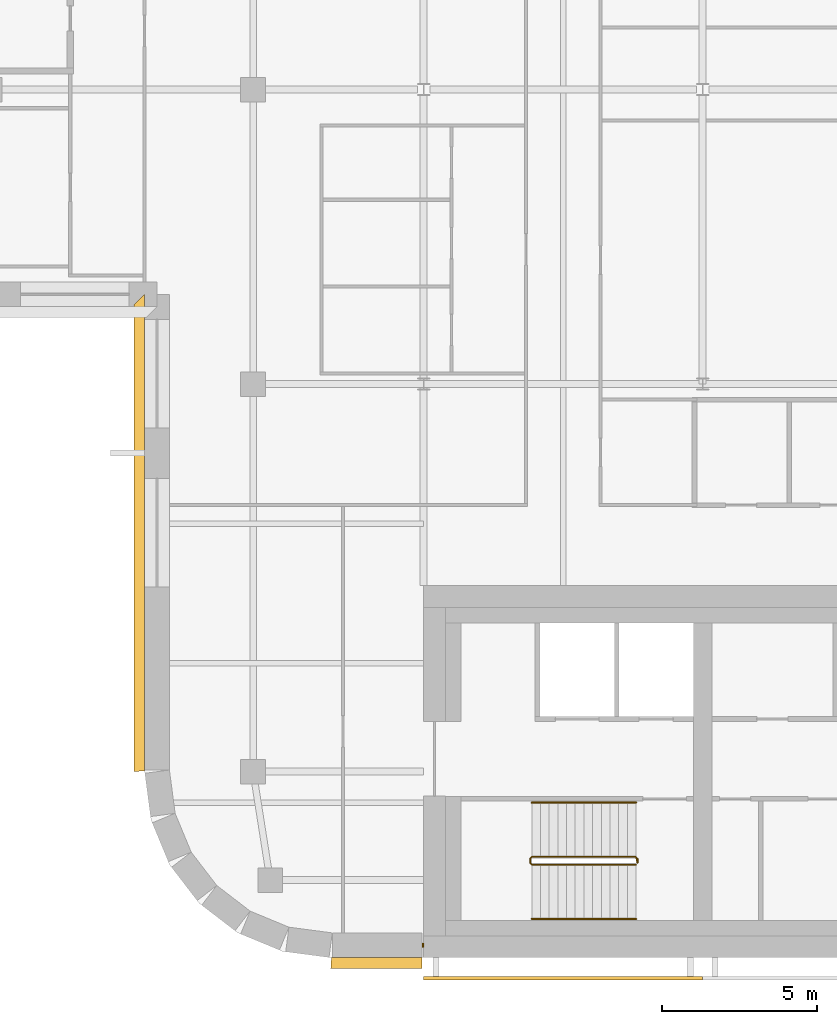
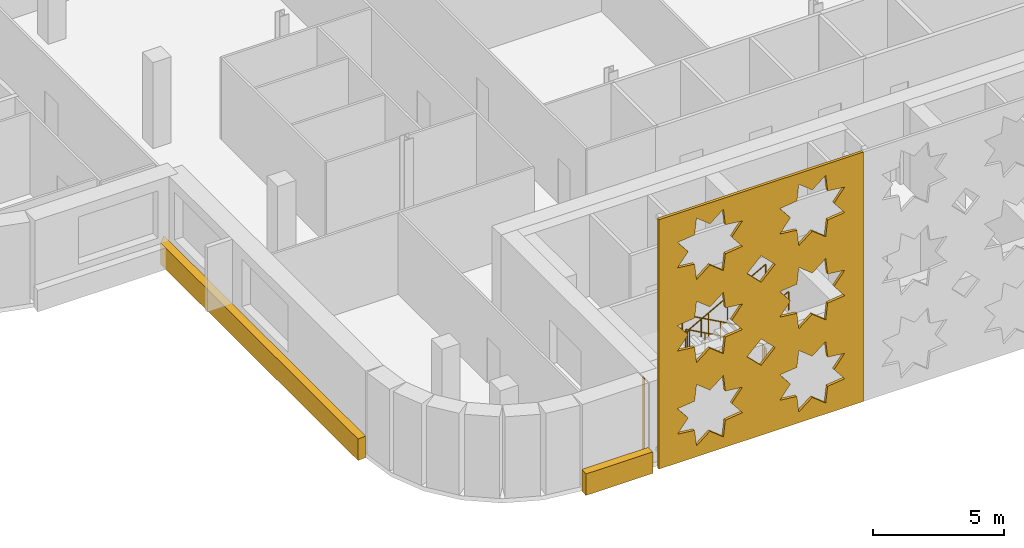
# One storey, part 14 of 18: 4 coverings, 3 railings.
"""IFC4 building model written with IfcOpenShell, lengths in metres."""

from ifc_helpers import new_model, si_unit, direction, frame, origin, origin_2d, place, context, subcontext, project, spatial, polyline, rectangle, circle, outline, extrude, material, layer, layer_set, type_object, element, save


model = new_model("IFC4")

# Units and contexts
model_context = context("Model", 3, precision=1e-05, world=origin(), true_north=direction((0.0, 1.0)))
body_context = subcontext(model_context, "Body", "Model", "MODEL_VIEW")
ifc_project = project(units=[si_unit("LENGTHUNIT", "METRE"), si_unit("AREAUNIT", "SQUARE_METRE"), si_unit("VOLUMEUNIT", "CUBIC_METRE"), si_unit("PLANEANGLEUNIT", "RADIAN"), si_unit("MASSUNIT", "GRAM", prefix="KILO")], contexts=[model_context])

# Site, building, storey
site_placement = place(None, origin())
site = spatial("IfcSite", under=ifc_project, at=site_placement, CompositionType="ELEMENT")
building_placement = place(site_placement, origin())
building = spatial("IfcBuilding", under=site, at=building_placement, Name="Zellij Exchange Tower", CompositionType="ELEMENT")
storey_placement = place(building_placement, frame((0.0, 0.0, 240.5)))
storey = spatial("IfcBuildingStorey", under=building, at=storey_placement, Name="L56", CompositionType="ELEMENT", Elevation=240.5)

# Railings
ifc_material_1 = material(Name="Stainless steel", Category="steel")
railing_type_1 = type_object("IfcRailingType", Name="CORE-RG stair guard", PredefinedType="GUARDRAIL", material=ifc_material_1)
railing_1_placement = place(storey_placement, frame((-20.10009765625, -10.800048828125, 0.0)))
element("IfcRailing", 1, at=railing_1_placement, inside=storey, type_object=railing_type_1, Name="ST1 stair guard L56", PredefinedType="GUARDRAIL", context=body_context, shape_type="SweptSolid", body=[
    extrude(circle(Radius=0.02392578125, at=origin_2d()), frame((0.0, 0.0, 1.076171875), z_axis=(0.0, -1.0, 0.0), x_axis=(1.0, 0.0, 0.0)), (0.0, 0.0, 1.0), 0.14990234375),
    extrude(circle(Radius=0.02392578125, at=origin_2d()), frame((0.0, -0.14990234375, 1.076171875), z_axis=(-0.193691321961, 0.777613689637, 0.598164376644), x_axis=(-0.970351222016, -0.241699205484, 0.0)), (0.0, 0.0, 1.0), 0.257080078125),
    extrude(circle(Radius=0.02392578125, at=origin_2d()), frame((-0.0498046875, 0.050048828125, 1.22998046875), z_axis=(-0.876421534553, 0.0, 0.481544695509), x_axis=(0.0, -1.0, 0.0)), (0.0, 0.0, 1.0), 3.833984375),
    extrude(circle(Radius=0.02392578125, at=origin_2d()), frame((-3.409912109375, 0.050048828125, 3.076171875), z_axis=(-0.707106781187, -0.707106781187, 0.0), x_axis=(0.707106781187, -0.707106781187, 0.0)), (0.0, 0.0, 1.0), 0.07080078125),
    extrude(circle(Radius=0.02392578125, at=origin_2d()), frame((-3.4599609375, 0.0, 3.076171875), z_axis=(0.0, -1.0, 0.0), x_axis=(1.0, 0.0, 0.0)), (0.0, 0.0, 1.0), 0.14990234375),
    extrude(circle(Radius=0.02392578125, at=origin_2d()), frame((-3.4599609375, -0.14990234375, 3.076171875), z_axis=(0.295599637079, -0.295599637079, 0.908428152975), x_axis=(0.707106781187, 0.707106781187, 0.0)), (0.0, 0.0, 1.0), 0.16943359375),
    extrude(circle(Radius=0.02392578125, at=origin_2d()), frame((-3.409912109375, -0.199951171875, 3.22998046875), z_axis=(0.876421534553, 0.0, 0.481544695509), x_axis=(0.0, 1.0, 0.0)), (0.0, 0.0, 1.0), 3.833984375),
    extrude(circle(Radius=0.02099609375, at=origin_2d()), origin(), (0.0, 0.0, 1.0), 1.052001953125),
    extrude(circle(Radius=0.02099609375, at=origin_2d()), frame((0.0, -0.14990234375, 0.0)), (0.0, 0.0, 1.0), 1.052001953125),
    extrude(circle(Radius=0.02099609375, at=origin_2d()), frame((-0.0498046875, 0.050048828125, 0.15380859375)), (0.0, 0.0, 1.0), 1.052001953125),
    extrude(circle(Radius=0.02099609375, at=origin_2d()), frame((-0.889892578125, 0.050048828125, 0.615234375)), (0.0, 0.0, 1.0), 1.052001953125),
    extrude(circle(Radius=0.02099609375, at=origin_2d()), frame((-1.72998046875, 0.050048828125, 1.076904296875)), (0.0, 0.0, 1.0), 1.052001953125),
    extrude(circle(Radius=0.02099609375, at=origin_2d()), frame((-2.56982421875, 0.050048828125, 1.53857421875)), (0.0, 0.0, 1.0), 1.052001953125),
    extrude(circle(Radius=0.02099609375, at=origin_2d()), frame((-3.409912109375, 0.050048828125, 2.0)), (0.0, 0.0, 1.0), 1.052001953125),
    extrude(circle(Radius=0.02099609375, at=origin_2d()), frame((-3.4599609375, 0.0, 2.0)), (0.0, 0.0, 1.0), 1.052001953125),
    extrude(circle(Radius=0.02099609375, at=origin_2d()), frame((-3.4599609375, -0.14990234375, 2.0)), (0.0, 0.0, 1.0), 1.052001953125),
    extrude(circle(Radius=0.02099609375, at=origin_2d()), frame((-3.409912109375, -0.199951171875, 2.15380859375)), (0.0, 0.0, 1.0), 1.052001953125),
    extrude(circle(Radius=0.02099609375, at=origin_2d()), frame((-2.56982421875, -0.199951171875, 2.615234375)), (0.0, 0.0, 1.0), 1.052001953125),
    extrude(circle(Radius=0.02099609375, at=origin_2d()), frame((-1.72998046875, -0.199951171875, 3.076904296875)), (0.0, 0.0, 1.0), 1.052001953125),
    extrude(circle(Radius=0.02099609375, at=origin_2d()), frame((-0.889892578125, -0.199951171875, 3.53857421875)), (0.0, 0.0, 1.0), 1.052001953125),
    extrude(circle(Radius=0.02099609375, at=origin_2d()), frame((-0.0498046875, -0.199951171875, 4.0)), (0.0, 0.0, 1.0), 1.052001953125),
])
railing_type_2 = type_object("IfcRailingType", Name="CORE-RH stair handrail", PredefinedType="HANDRAIL", material=ifc_material_1)
railing_2_placement = place(storey_placement, frame((-20.14990234375, -9.0, 0.15380859375)))
element("IfcRailing", 2, at=railing_2_placement, inside=storey, type_object=railing_type_2, Name="ST1 stair handrail L56", PredefinedType="HANDRAIL", context=body_context, shape_type="SweptSolid", body=[
    extrude(circle(Radius=0.02392578125, at=origin_2d()), frame((0.0, 0.0, 0.8759765625), z_axis=(-0.876421534553, 0.0, 0.481544695509), x_axis=(0.0, -1.0, 0.0)), (0.0, 0.0, 1.0), 3.833984375),
    extrude(circle(Radius=0.02099609375, at=origin_2d()), origin(), (0.0, 0.0, 1.0), 0.851806640625),
    extrude(circle(Radius=0.02099609375, at=origin_2d()), frame((-0.840087890625, 0.0, 0.46142578125)), (0.0, 0.0, 1.0), 0.851806640625),
    extrude(circle(Radius=0.02099609375, at=origin_2d()), frame((-1.68017578125, 0.0, 0.923095703125)), (0.0, 0.0, 1.0), 0.851806640625),
    extrude(circle(Radius=0.02099609375, at=origin_2d()), frame((-2.52001953125, 0.0, 1.384765625)), (0.0, 0.0, 1.0), 0.851806640625),
    extrude(circle(Radius=0.02099609375, at=origin_2d()), frame((-3.360107421875, 0.0, 1.84619140625)), (0.0, 0.0, 1.0), 0.851806640625),
])
railing_3_placement = place(storey_placement, frame((-23.510009765625, -12.75, 2.15380859375)))
element("IfcRailing", 3, at=railing_3_placement, inside=storey, type_object=railing_type_2, Name="ST1 stair handrail L56", PredefinedType="HANDRAIL", context=body_context, shape_type="SweptSolid", body=[
    extrude(circle(Radius=0.02392578125, at=origin_2d()), frame((0.0, 0.0, 0.8759765625), z_axis=(0.876421534553, 0.0, 0.481544695509), x_axis=(0.0, 1.0, 0.0)), (0.0, 0.0, 1.0), 3.833984375),
    extrude(circle(Radius=0.02099609375, at=origin_2d()), origin(), (0.0, 0.0, 1.0), 0.851806640625),
    extrude(circle(Radius=0.02099609375, at=origin_2d()), frame((0.840087890625, 0.0, 0.46142578125)), (0.0, 0.0, 1.0), 0.851806640625),
    extrude(circle(Radius=0.02099609375, at=origin_2d()), frame((1.68017578125, 0.0, 0.923095703125)), (0.0, 0.0, 1.0), 0.851806640625),
    extrude(circle(Radius=0.02099609375, at=origin_2d()), frame((2.52001953125, 0.0, 1.384765625)), (0.0, 0.0, 1.0), 0.851806640625),
    extrude(circle(Radius=0.02099609375, at=origin_2d()), frame((3.360107421875, 0.0, 1.84619140625)), (0.0, 0.0, 1.0), 0.851806640625),
])

# Coverings
ifc_material_2 = material(Name="Limestone cladding", Category="masonry")
ifc_layer_1 = layer(ifc_material_2, 0.35009765625)
ifc_layer_set_1 = layer_set([ifc_layer_1], Name="Limestone cladding")
covering_type_1 = type_object("IfcCoveringType", Name="ENV-CV10 Stone spandrel band 350", PredefinedType="CLADDING", material=ifc_layer_set_1)
covering_1_placement = place(storey_placement, frame((0.0, 0.0, -0.199951171875)))
element("IfcCovering", 4, at=covering_1_placement, inside=storey, type_object=covering_type_1, Name="Stone spandrel band", PredefinedType="CLADDING", context=body_context, shape_type="SweptSolid", body=[
    extrude(outline(polyline([(-29.973876953125, -14.0), (-27.050048828125, -14.0), (-27.050048828125, -14.35009765625), (-29.99658203125, -14.35009765625), (-29.973876953125, -14.0)])), origin(), (0.0, 0.0, 1.0), 1.0),
])
covering_2_placement = place(storey_placement, frame((0.0, 0.0, -0.199951171875)))
element("IfcCovering", 5, at=covering_2_placement, inside=storey, type_object=covering_type_1, Name="Stone spandrel band", PredefinedType="CLADDING", context=body_context, shape_type="SweptSolid", body=[
    extrude(outline(polyline([(-36.0, 7.39990234375), (-36.0, -7.973876953125), (-36.35009765625, -7.99658203125), (-36.35009765625, 7.050048828125), (-36.0, 7.39990234375)])), origin(), (0.0, 0.0, 1.0), 1.0),
])
ifc_layer_2 = layer(ifc_material_2, 0.1201171875)
ifc_layer_set_2 = layer_set([ifc_layer_2], Name="Limestone cladding")
covering_type_2 = type_object("IfcCoveringType", Name="ENV-CV18 Glazing closer 120", PredefinedType="CLADDING", material=ifc_layer_set_2)
covering_3_placement = place(storey_placement, frame((-27.02490234375, -13.60009765625, 0.0), z_axis=(0.0, 0.0, 1.0), x_axis=(1.0, 0.0, 0.0)))
element("IfcCovering", 6, at=covering_3_placement, inside=storey, type_object=covering_type_2, Name="Glazing closer", PredefinedType="CLADDING", context=body_context, shape_type="SweptSolid", body=[
    extrude(rectangle(XDim=0.050048828125, YDim=0.1201171875, at=origin_2d()), origin(), (0.0, 0.0, 1.0), 3.800048828125),
])
ifc_material_3 = material(Name="Limestone screen", Category="masonry")
ifc_layer_3 = layer(ifc_material_3, 0.1201171875)
ifc_layer_set_3 = layer_set([ifc_layer_3], Name="Limestone screen")
covering_type_3 = type_object("IfcCoveringType", Name="ENV-SC5 Pierced stone relief 120", PredefinedType="USERDEFINED", material=ifc_layer_set_3)
covering_4_placement = place(storey_placement, frame((-27.0, -14.659912109375, 0.199951171875), z_axis=(0.0, 0.0, 1.0), x_axis=(1.0, 0.0, 0.0)))
element("IfcCovering", 7, at=covering_4_placement, inside=storey, type_object=covering_type_3, Name="Pierced stone relief", ObjectType="SCREEN", PredefinedType="USERDEFINED", context=body_context, shape_type="SweptSolid", body=[
    extrude(outline(polyline([(0.0, 0.0), (9.0, 0.0), (9.0, 11.60009765625), (0.0, 11.60009765625), (0.0, 0.0)]), holes=[polyline([(3.678955078125, 2.525146484375), (2.927978515625, 2.611328125), (2.841796875, 3.3623046875), (2.25, 2.892333984375), (1.658203125, 3.3623046875), (1.572021484375, 2.611328125), (0.821044921875, 2.525146484375), (1.291015625, 1.933349609375), (0.821044921875, 1.34130859375), (1.572021484375, 1.25537109375), (1.658203125, 0.50439453125), (2.25, 0.974365234375), (2.841796875, 0.50439453125), (2.927978515625, 1.25537109375), (3.678955078125, 1.34130859375), (3.208984375, 1.933349609375), (3.678955078125, 2.525146484375)]), polyline([(3.678955078125, 6.391845703125), (2.927978515625, 6.47802734375), (2.841796875, 7.22900390625), (2.25, 6.7587890625), (1.658203125, 7.22900390625), (1.572021484375, 6.47802734375), (0.821044921875, 6.391845703125), (1.291015625, 5.800048828125), (0.821044921875, 5.2080078125), (1.572021484375, 5.121826171875), (1.658203125, 4.37109375), (2.25, 4.841064453125), (2.841796875, 4.37109375), (2.927978515625, 5.121826171875), (3.678955078125, 5.2080078125), (3.208984375, 5.800048828125), (3.678955078125, 6.391845703125)]), polyline([(3.678955078125, 10.258544921875), (2.927978515625, 10.3447265625), (2.841796875, 11.095703125), (2.25, 10.62548828125), (1.658203125, 11.095703125), (1.572021484375, 10.3447265625), (0.821044921875, 10.258544921875), (1.291015625, 9.666748046875), (0.821044921875, 9.07470703125), (1.572021484375, 8.988525390625), (1.658203125, 8.23779296875), (2.25, 8.707763671875), (2.841796875, 8.23779296875), (2.927978515625, 8.988525390625), (3.678955078125, 9.07470703125), (3.208984375, 9.666748046875), (3.678955078125, 10.258544921875)]), polyline([(8.178955078125, 2.525146484375), (7.427978515625, 2.611328125), (7.341796875, 3.3623046875), (6.75, 2.892333984375), (6.158203125, 3.3623046875), (6.072021484375, 2.611328125), (5.321044921875, 2.525146484375), (5.791015625, 1.933349609375), (5.321044921875, 1.34130859375), (6.072021484375, 1.25537109375), (6.158203125, 0.50439453125), (6.75, 0.974365234375), (7.341796875, 0.50439453125), (7.427978515625, 1.25537109375), (8.178955078125, 1.34130859375), (7.708984375, 1.933349609375), (8.178955078125, 2.525146484375)]), polyline([(8.178955078125, 6.391845703125), (7.427978515625, 6.47802734375), (7.341796875, 7.22900390625), (6.75, 6.7587890625), (6.158203125, 7.22900390625), (6.072021484375, 6.47802734375), (5.321044921875, 6.391845703125), (5.791015625, 5.800048828125), (5.321044921875, 5.2080078125), (6.072021484375, 5.121826171875), (6.158203125, 4.37109375), (6.75, 4.841064453125), (7.341796875, 4.37109375), (7.427978515625, 5.121826171875), (8.178955078125, 5.2080078125), (7.708984375, 5.800048828125), (8.178955078125, 6.391845703125)]), polyline([(8.178955078125, 10.258544921875), (7.427978515625, 10.3447265625), (7.341796875, 11.095703125), (6.75, 10.62548828125), (6.158203125, 11.095703125), (6.072021484375, 10.3447265625), (5.321044921875, 10.258544921875), (5.791015625, 9.666748046875), (5.321044921875, 9.07470703125), (6.072021484375, 8.988525390625), (6.158203125, 8.23779296875), (6.75, 8.707763671875), (7.341796875, 8.23779296875), (7.427978515625, 8.988525390625), (8.178955078125, 9.07470703125), (7.708984375, 9.666748046875), (8.178955078125, 10.258544921875)]), polyline([(5.11865234375, 3.86669921875), (4.5, 4.4853515625), (3.88134765625, 3.86669921875), (4.5, 3.248046875), (5.11865234375, 3.86669921875)]), polyline([(5.11865234375, 7.7333984375), (4.5, 8.35205078125), (3.88134765625, 7.7333984375), (4.5, 7.11474609375), (5.11865234375, 7.7333984375)])]), frame((0.0, 0.06005859375, 0.0), z_axis=(0.0, -1.0, 0.0), x_axis=(1.0, 0.0, 0.0)), (0.0, 0.0, 1.0), 0.1201171875),
])

save(model, "model.ifc")
